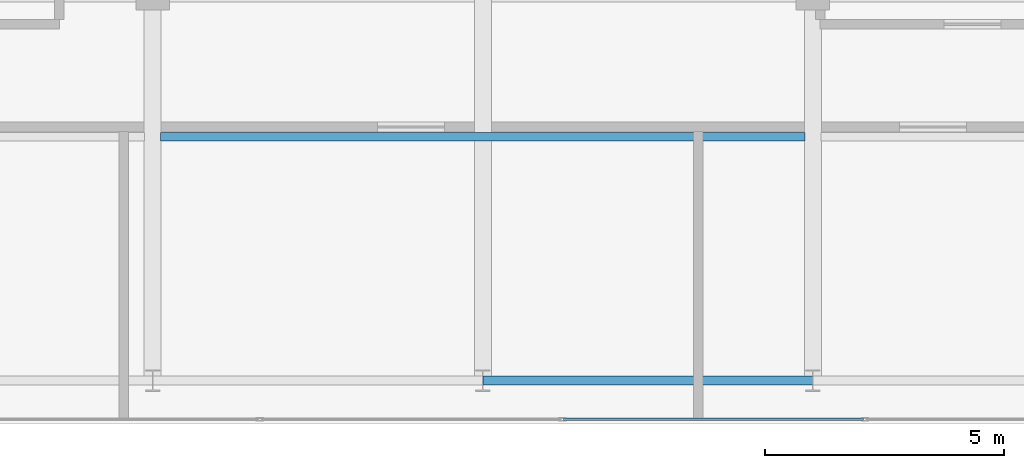
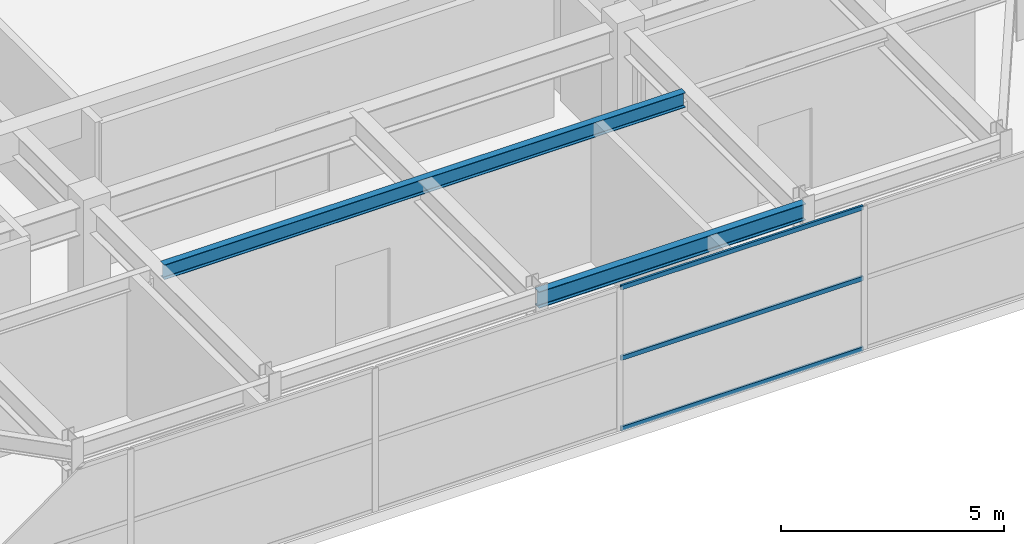
# One storey, part 8 of 32: 3 members, 2 beams, 1 element without a shape of its own.
"""IFC4 building model written with IfcOpenShell, lengths in metres."""

from ifc_helpers import new_model, si_unit, direction, frame, origin, origin_2d, place, context, subcontext, project, spatial, hollow_rectangle, i_section, extrude, source, transform, mapped, material, layer, layer_set, material_profile, profile_set, type_object, element, aggregate, save


model = new_model("IFC4")

# Units and contexts
model_context = context("Model", 3, precision=1e-05, world=origin(), true_north=direction((0.0, 1.0)))
body_context = subcontext(model_context, "Body", "Model", "MODEL_VIEW")
ifc_project = project(units=[si_unit("LENGTHUNIT", "METRE"), si_unit("AREAUNIT", "SQUARE_METRE"), si_unit("VOLUMEUNIT", "CUBIC_METRE"), si_unit("PLANEANGLEUNIT", "RADIAN"), si_unit("MASSUNIT", "GRAM", prefix="KILO")], contexts=[model_context])

# Site, building, storey
site_placement = place(None, origin())
site = spatial("IfcSite", under=ifc_project, at=site_placement, CompositionType="ELEMENT")
building_placement = place(site_placement, origin())
building = spatial("IfcBuilding", under=site, at=building_placement, Name="Khoralis Quay Care Tower", CompositionType="ELEMENT")
storey_placement = place(building_placement, frame((0.0, 0.0, 306.300048828125)))
storey = spatial("IfcBuildingStorey", under=building, at=storey_placement, Name="L80", CompositionType="ELEMENT", Elevation=306.300048828125)

# Beams
ifc_material_1 = material(Name="Steel S355", Category="steel")
ifc_material_profile_1 = material_profile(ifc_material_1, i_section(OverallWidth=0.18994140625, OverallDepth=0.449951171875, WebThickness=0.009521484375, FlangeThickness=0.0146484375, FilletRadius=0.02099609375, at=origin_2d()), Name="Steel S355")
ifc_profile_set_1 = profile_set([ifc_material_profile_1], Name="Steel S355")
beam_type_1 = type_object("IfcBeamType", Name="BM-IPE450", PredefinedType="SPANDREL", material=ifc_profile_set_1)
shared_shape_1 = source(origin(), body_context, "Body", "SweptSolid", [
    extrude(i_section(OverallWidth=0.18994140625, OverallDepth=0.449951171875, WebThickness=0.009521484375, FlangeThickness=0.0146484375, FilletRadius=0.02099609375, at=origin_2d()), origin(), (0.0, 0.0, 1.0), 6.89990234375),
])
beam_1_placement = place(storey_placement, frame((24.0, 3.89990234375, 3.695068359375), z_axis=(1.0, 0.0, 0.0), x_axis=(0.0, 1.0, 0.0)))
element("IfcBeam", 1, at=beam_1_placement, inside=storey, type_object=beam_type_1, Name="BM-TSP-L80-03", PredefinedType="SPANDREL", context=body_context, shape_type="MappedRepresentation", body=[
    mapped(shared_shape_1, transform((0.0, 0.0, 0.0), scale=1.0)),
])
ifc_material_profile_2 = material_profile(ifc_material_1, i_section(OverallWidth=0.177978515625, OverallDepth=0.406982421875, WebThickness=0.0078125, FlangeThickness=0.0126953125, FilletRadius=0.012939453125, at=origin_2d()), Name="Steel S355")
ifc_profile_set_2 = profile_set([ifc_material_profile_2], Name="Steel S355")
beam_type_2 = type_object("IfcBeamType", Name="BM-W410X60", PredefinedType="JOIST", material=ifc_profile_set_2)
shared_shape_2 = source(origin(), body_context, "Body", "SweptSolid", [
    extrude(i_section(OverallWidth=0.177978515625, OverallDepth=0.406982421875, WebThickness=0.0078125, FlangeThickness=0.0126953125, FilletRadius=0.012939453125, at=origin_2d()), origin(), (0.0, 0.0, 1.0), 13.46923828125),
])
beam_2_placement = place(storey_placement, frame((17.265380859375, 9.0, 3.716552734375), z_axis=(1.0, 0.0, 0.0), x_axis=(0.0, 1.0, 0.0)))
element("IfcBeam", 2, at=beam_2_placement, inside=storey, type_object=beam_type_2, Name="BM-TJS-L80-23", PredefinedType="JOIST", context=body_context, shape_type="MappedRepresentation", body=[
    mapped(shared_shape_2, transform((0.0, 0.0, 0.0), scale=1.0)),
])

# Curtain wall, members
ifc_material_2 = material(Name="Pale anodised aluminium", Category="aluminium")
ifc_layer = layer(ifc_material_2, 0.199951171875)
ifc_layer_set = layer_set([ifc_layer], Name="Pale anodised aluminium")
curtain_wall_type = type_object("IfcCurtainWallType", Name="CW-SYS-LANTERN", PredefinedType="NOTDEFINED", material=ifc_layer_set)
curtain_wall_placement = place(storey_placement, origin())
curtain_wall = element("IfcCurtainWall", 3, at=curtain_wall_placement, inside=storey, type_object=curtain_wall_type, Name="L80 Unitised Curtain Wall CW-LN-L80-01", PredefinedType="NOTDEFINED")
ifc_material_profile_3 = material_profile(ifc_material_2, hollow_rectangle(XDim=0.054931640625, YDim=0.1201171875, WallThickness=0.00390625, at=origin_2d()), Name="Pale anodised aluminium")
ifc_profile_set_3 = profile_set([ifc_material_profile_3], Name="Pale anodised aluminium")
member_type = type_object("IfcMemberType", Name="CW-TRN-120", PredefinedType="USERDEFINED", material=ifc_profile_set_3)
shared_shape_3 = source(origin(), body_context, "Body", "SweptSolid", [
    extrude(hollow_rectangle(XDim=0.054931640625, YDim=0.1201171875, WallThickness=0.00390625, at=origin_2d()), origin(), (0.0, 0.0, 1.0), 6.26416015625),
])
member_1_placement = place(storey_placement, frame((25.69189453125, 3.090087890625, 0.030029296875), z_axis=(1.0, 0.0, 0.0), x_axis=(0.0, 1.0, 0.0)))
member_1 = element("IfcMember", 4, at=member_1_placement, type_object=member_type, Name="CW5 transom 4.1", ObjectType="TRANSOM", PredefinedType="USERDEFINED", context=body_context, shape_type="MappedRepresentation", body=[
    mapped(shared_shape_3, transform((0.0, 0.0, 0.0), scale=1.0)),
])
member_2_placement = place(storey_placement, frame((25.69189453125, 3.090087890625, 1.9599609375), z_axis=(1.0, 0.0, 0.0), x_axis=(0.0, 1.0, 0.0)))
member_2 = element("IfcMember", 5, at=member_2_placement, type_object=member_type, Name="CW5 transom 4.2", ObjectType="TRANSOM", PredefinedType="USERDEFINED", context=body_context, shape_type="MappedRepresentation", body=[
    mapped(shared_shape_3, transform((0.0, 0.0, 0.0), scale=1.0)),
])
member_3_placement = place(storey_placement, frame((25.69189453125, 3.090087890625, 3.889892578125), z_axis=(1.0, 0.0, 0.0), x_axis=(0.0, 1.0, 0.0)))
member_3 = element("IfcMember", 6, at=member_3_placement, type_object=member_type, Name="CW5 transom 4.3", ObjectType="TRANSOM", PredefinedType="USERDEFINED", context=body_context, shape_type="MappedRepresentation", body=[
    mapped(shared_shape_3, transform((0.0, 0.0, 0.0), scale=1.0)),
])
aggregate(curtain_wall, [member_1, member_2, member_3])

save(model, "model.ifc")
